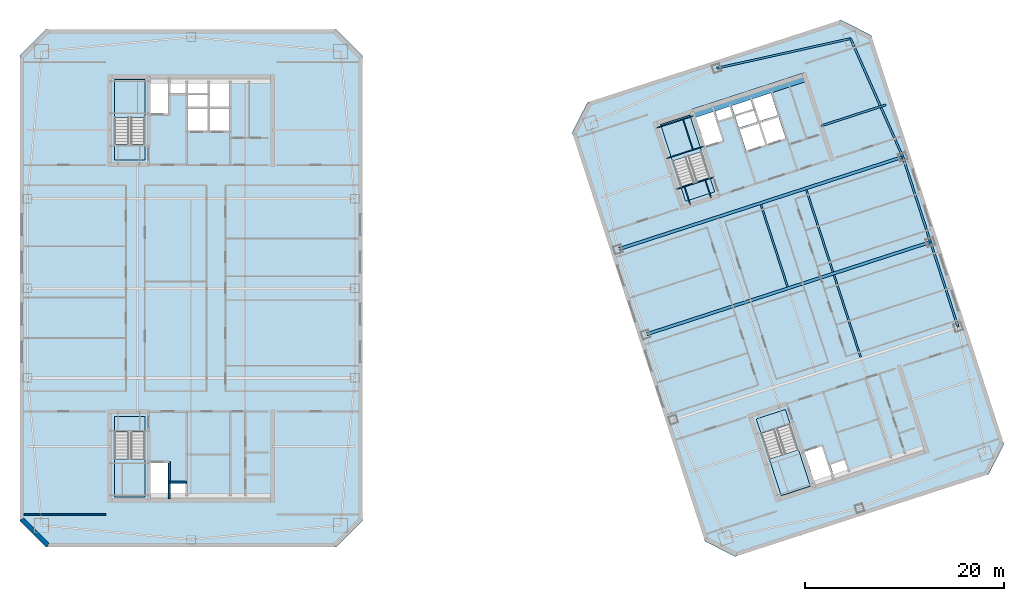
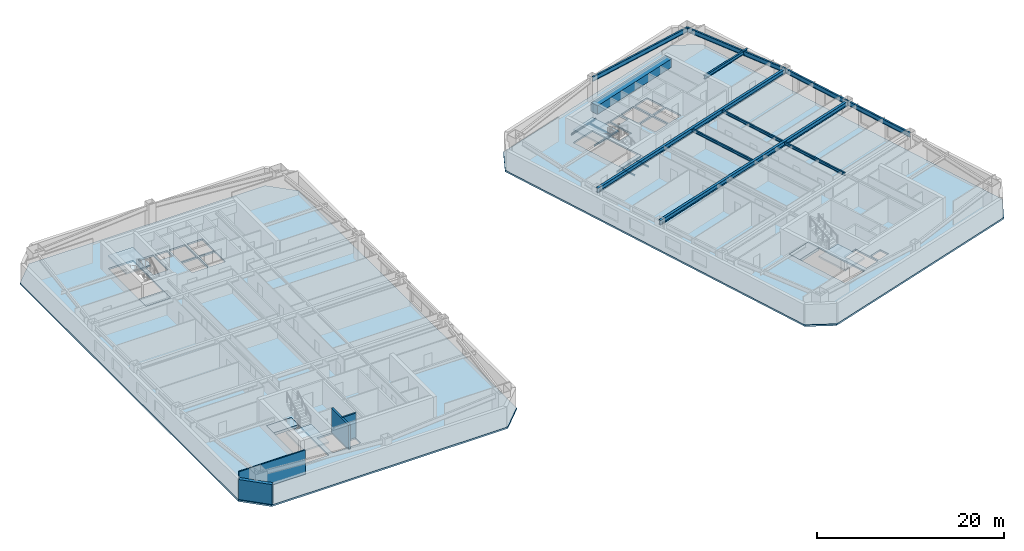
# One storey, part 4 of 13: 17 beams, 10 slabs, 4 walls, 4 elements without a shape of their own.
"""IFC4 building model written with IfcOpenShell, lengths in metres."""

from ifc_helpers import new_model, si_unit, direction, frame, frame_2d, origin, origin_2d, place, context, subcontext, project, spatial, polyline, rectangle, i_section, outline, extrude, material, layer, layer_set, material_profile, profile_set, type_object, element, aggregate, save


model = new_model("IFC4")

# Units and contexts
model_context = context("Model", 3, precision=1e-05, world=origin(), true_north=direction((0.0, 1.0)))
body_context = subcontext(model_context, "Body", "Model", "MODEL_VIEW")
ifc_project = project(units=[si_unit("LENGTHUNIT", "METRE"), si_unit("AREAUNIT", "SQUARE_METRE"), si_unit("VOLUMEUNIT", "CUBIC_METRE"), si_unit("PLANEANGLEUNIT", "RADIAN"), si_unit("MASSUNIT", "GRAM", prefix="KILO")], contexts=[model_context])

# Site, building, storey
site_placement = place(None, origin())
site = spatial("IfcSite", under=ifc_project, at=site_placement, CompositionType="ELEMENT")
building_placement = place(site_placement, origin())
building = spatial("IfcBuilding", under=site, at=building_placement, Name="Qiaolan Cultural Towers", CompositionType="ELEMENT")
storey_placement = place(building_placement, frame((0.0, 0.0, 192.050048828125)))
storey = spatial("IfcBuildingStorey", under=building, at=storey_placement, Name="L51", CompositionType="ELEMENT", Elevation=192.050048828125)

# Beams
ifc_material_1 = material(Name="Steel Q355B", Category="steel")
ifc_material_profile_1 = material_profile(ifc_material_1, i_section(OverallWidth=0.300048828125, OverallDepth=0.587890625, WebThickness=0.011962890625, FlangeThickness=0.02001953125, at=origin_2d()), Name="HM588x300x12x20")
ifc_profile_set_1 = profile_set([ifc_material_profile_1], Name="Steel Q355B")
beam_type_1 = type_object("IfcBeamType", Name="BM-HM588x300x12x20", PredefinedType="BEAM", material=ifc_profile_set_1)
beam_1_placement = place(storey_placement, frame((75.6865234375, 29.349365234375, 2.89599609375), z_axis=(0.951058384903, 0.309011243331, 0.0), x_axis=(-0.309011243331, 0.951058384903, 0.0)))
element("IfcBeam", 1, at=beam_1_placement, inside=storey, type_object=beam_type_1, Name="L51 T2 Primary Transverse Girder V2", PredefinedType="BEAM", context=body_context, shape_type="SweptSolid", body=[
    extrude(i_section(OverallWidth=0.300048828125, OverallDepth=0.587890625, WebThickness=0.011962890625, FlangeThickness=0.02001953125, at=origin_2d()), origin(), (0.0, 0.0, 1.0), 30.10009765625),
])
beam_2_placement = place(storey_placement, frame((72.905517578125, 37.90869140625, 2.89599609375), z_axis=(0.951055226628, 0.309020963535, 0.0), x_axis=(-0.309020963535, 0.951055226628, 0.0)))
element("IfcBeam", 2, at=beam_2_placement, inside=storey, type_object=beam_type_1, Name="L51 T2 Primary Transverse Girder V3", PredefinedType="BEAM", context=body_context, shape_type="SweptSolid", body=[
    extrude(i_section(OverallWidth=0.300048828125, OverallDepth=0.587890625, WebThickness=0.011962890625, FlangeThickness=0.02001953125, at=origin_2d()), origin(), (0.0, 0.0, 1.0), 30.099853515625),
])
ifc_material_2 = material(Name="Steel Q355B", Category="steel")
ifc_material_profile_2 = material_profile(ifc_material_2, i_section(OverallWidth=0.175048828125, OverallDepth=0.35009765625, WebThickness=0.007080078125, FlangeThickness=0.010986328125, at=origin_2d()), Name="HN350x175x7x11")
ifc_profile_set_2 = profile_set([ifc_material_profile_2], Name="Steel Q355B")
beam_type_2 = type_object("IfcBeamType", Name="BM-JST-HN350x175x7x11", PredefinedType="JOIST", material=ifc_profile_set_2)
for number, where, z_axis, x_axis, name in (
    (3, (89.95361328125, 34.142578125, 3.014892578125), (-0.309020714809, 0.951055307445, 0.0), (-0.951055307445, -0.309020714809, 0.0), "L51 T2 Secondary Floor Joist U2-3"),
    (4, (97.2998046875, 27.06640625, 3.014892578125), (-0.309020714809, 0.951055307445, 0.0), (-0.951055307445, -0.309020714809, 0.0), "L51 T2 Secondary Floor Joist U3-2"),
    (5, (94.518798828125, 35.6259765625, 3.014892578125), (-0.309020714809, 0.951055307445, 0.0), (-0.951055307445, -0.309020714809, 0.0), "L51 T2 Secondary Floor Joist U3-3"),
):
    element("IfcBeam", number, at=place(storey_placement, frame(where, z_axis=z_axis, x_axis=x_axis)), inside=storey, type_object=beam_type_2, Name=name, PredefinedType="JOIST", context=body_context, shape_type="SweptSolid", body=[
        extrude(i_section(OverallWidth=0.175048828125, OverallDepth=0.35009765625, WebThickness=0.007080078125, FlangeThickness=0.010986328125, at=origin_2d()), origin(), (0.0, 0.0, 1.0), 8.699951171875),
    ])
ifc_material_3 = material(Name="Steel Q355B", Category="steel")
ifc_material_profile_3 = material_profile(ifc_material_3, i_section(OverallWidth=0.199951171875, OverallDepth=0.449951171875, WebThickness=0.009033203125, FlangeThickness=0.013916015625, at=origin_2d()), Name="HN450x200x9x14")
ifc_profile_set_3 = profile_set([ifc_material_profile_3], Name="Steel Q355B")
beam_type_3 = type_object("IfcBeamType", Name="BM-LNT-HN450x200x9x14", PredefinedType="LINTEL", material=ifc_profile_set_3)
beam_3_placement = place(storey_placement, frame((93.31787109375, 50.32421875, 2.96484375), z_axis=(0.951061565824, 0.30900145309, 0.0), x_axis=(-0.30900145309, 0.951061565824, 0.0)))
element("IfcBeam", 6, at=beam_3_placement, inside=storey, type_object=beam_type_3, Name="L51 T2 Core Flank Tie Lintel EN", PredefinedType="LINTEL", context=body_context, shape_type="SweptSolid", body=[
    extrude(i_section(OverallWidth=0.199951171875, OverallDepth=0.449951171875, WebThickness=0.009033203125, FlangeThickness=0.013916015625, at=origin_2d()), origin(), (0.0, 0.0, 1.0), 6.85009765625),
])
ifc_material_4 = material(Name="Concrete C50", Category="concrete")
ifc_material_profile_4 = material_profile(ifc_material_4, rectangle(XDim=0.89990234375, YDim=1.10009765625, at=origin_2d()), Name="RC900x1100")
ifc_profile_set_4 = profile_set([ifc_material_profile_4], Name="Concrete C50")
beam_type_4 = type_object("IfcBeamType", Name="BM-RC900x1100", PredefinedType="BEAM", material=ifc_profile_set_4)
beam_4_placement = place(storey_placement, frame((80.427978515625, 51.551025390625, 2.639892578125), z_axis=(0.951056266386, 0.309017763514, 0.0), x_axis=(-0.309017763514, 0.951056266386, 0.0)))
element("IfcBeam", 7, at=beam_4_placement, inside=storey, type_object=beam_type_4, Name="L51 T2 Core Header Girder N", PredefinedType="BEAM", context=body_context, shape_type="SweptSolid", body=[
    extrude(rectangle(XDim=0.89990234375, YDim=1.10009765625, at=origin_2d()), origin(), (0.0, 0.0, 1.0), 11.880126953125),
])
ifc_material_5 = material(Name="Steel Q355B", Category="steel")
ifc_material_profile_5 = material_profile(ifc_material_5, i_section(OverallWidth=0.199951171875, OverallDepth=0.60009765625, WebThickness=0.010986328125, FlangeThickness=0.01708984375, at=origin_2d()), Name="HN600x200x11x17")
ifc_profile_set_5 = profile_set([ifc_material_profile_5], Name="Steel Q355B")
beam_type_5 = type_object("IfcBeamType", Name="BM-SPD-HN600x200x11x17", PredefinedType="SPANDREL", material=ifc_profile_set_5)
beam_5_placement = place(storey_placement, frame((107.094482421875, 30.09130859375, 2.889892578125), z_axis=(-0.309008170129, 0.951059383421, 0.0), x_axis=(-0.951059383421, -0.309008170129, 0.0)))
element("IfcBeam", 8, at=beam_5_placement, inside=storey, type_object=beam_type_5, Name="L51 T2 Perimeter Spandrel Beam 4", PredefinedType="SPANDREL", context=body_context, shape_type="SweptSolid", body=[
    extrude(i_section(OverallWidth=0.199951171875, OverallDepth=0.60009765625, WebThickness=0.010986328125, FlangeThickness=0.01708984375, at=origin_2d()), origin(), (0.0, 0.0, 1.0), 8.999755859375),
])
beam_6_placement = place(storey_placement, frame((104.3134765625, 38.650634765625, 2.889892578125), z_axis=(-0.309024734286, 0.951054001411, 0.0), x_axis=(-0.951054001411, -0.309024734286, 0.0)))
element("IfcBeam", 9, at=beam_6_placement, inside=storey, type_object=beam_type_5, Name="L51 T2 Perimeter Spandrel Beam 5", PredefinedType="SPANDREL", context=body_context, shape_type="SweptSolid", body=[
    extrude(i_section(OverallWidth=0.199951171875, OverallDepth=0.60009765625, WebThickness=0.010986328125, FlangeThickness=0.01708984375, at=origin_2d()), origin(), (0.0, 0.0, 1.0), 9.0),
])
beam_7_placement = place(storey_placement, frame((101.5322265625, 47.210205078125, 2.889892578125), z_axis=(-0.404011070002, 0.914754095545, 0.0), x_axis=(-0.914754095545, -0.404011070002, 0.0)))
element("IfcBeam", 10, at=beam_7_placement, inside=storey, type_object=beam_type_5, Name="L51 T2 Perimeter Spandrel Beam 6", PredefinedType="SPANDREL", context=body_context, shape_type="SweptSolid", body=[
    extrude(i_section(OverallWidth=0.199951171875, OverallDepth=0.60009765625, WebThickness=0.010986328125, FlangeThickness=0.01708984375, at=origin_2d()), origin(), (0.0, 0.0, 1.0), 12.9970703125),
])
beam_8_placement = place(storey_placement, frame((96.28125, 59.099365234375, 2.889892578125), z_axis=(-0.976265293399, -0.216578108094, 0.0), x_axis=(0.216578108094, -0.976265293399, 0.0)))
element("IfcBeam", 11, at=beam_8_placement, inside=storey, type_object=beam_type_5, Name="L51 T2 Perimeter Spandrel Beam 7", PredefinedType="SPANDREL", context=body_context, shape_type="SweptSolid", body=[
    extrude(i_section(OverallWidth=0.199951171875, OverallDepth=0.60009765625, WebThickness=0.010986328125, FlangeThickness=0.01708984375, at=origin_2d()), origin(), (0.0, 0.0, 1.0), 13.793212890625),
])
ifc_material_6 = material(Name="Steel Q355B", Category="steel")
ifc_material_profile_6 = material_profile(ifc_material_6, i_section(OverallWidth=0.10009765625, OverallDepth=0.199951171875, WebThickness=0.005615234375, FlangeThickness=0.008056640625, at=origin_2d()), Name="HN200x100x5.5x8")
ifc_profile_set_6 = profile_set([ifc_material_profile_6], Name="Steel Q355B")
beam_type_6 = type_object("IfcBeamType", Name="BM-STTRIM-200", PredefinedType="BEAM", material=ifc_profile_set_6)
beam_9_placement = place(storey_placement, frame((78.773193359375, 43.958251953125, -0.4599609375), z_axis=(0.951072048947, 0.3089691857, 0.0), x_axis=(-0.3089691857, 0.951072048947, 0.0)))
element("IfcBeam", 12, at=beam_9_placement, inside=storey, type_object=beam_type_6, Name="L51 ST-E2 Floor Landing Header Beam", PredefinedType="BEAM", context=body_context, shape_type="SweptSolid", body=[
    extrude(i_section(OverallWidth=0.10009765625, OverallDepth=0.199951171875, WebThickness=0.005615234375, FlangeThickness=0.008056640625, at=origin_2d()), origin(), (0.0, 0.0, 1.0), 3.920166015625),
])
for number, where, z_axis, x_axis, name in (
    (13, (80.18115234375, 42.375732421875, -0.4599609375), (-0.308969394428, 0.951071981138, 0.0), (-0.951071981138, -0.308969394428, 0.0), "L51 ST-E2 Floor Landing Stringer 1"),
    (14, (82.2734375, 43.0556640625, -0.4599609375), (-0.308969394428, 0.951071981138, 0.0), (-0.951071981138, -0.308969394428, 0.0), "L51 ST-E2 Floor Landing Stringer 2"),
):
    element("IfcBeam", number, at=place(storey_placement, frame(where, z_axis=z_axis, x_axis=x_axis)), inside=storey, type_object=beam_type_6, Name=name, PredefinedType="BEAM", context=body_context, shape_type="SweptSolid", body=[
        extrude(i_section(OverallWidth=0.10009765625, OverallDepth=0.199951171875, WebThickness=0.005615234375, FlangeThickness=0.008056640625, at=origin_2d()), origin(), (0.0, 0.0, 1.0), 1.93994140625),
    ])
for number, where, z_axis, x_axis, name in (
    (15, (77.769287109375, 47.0478515625, 1.425048828125), (0.951053746643, 0.309025518358, 0.0), (-0.309025518358, 0.951053746643, 0.0), "L51 ST-E2 Stair Landing Support Beam 1-1"),
    (16, (76.770751953125, 50.12109375, 1.425048828125), (0.951072048947, 0.3089691857, 0.0), (-0.3089691857, 0.951072048947, 0.0), "L51 ST-E2 Stair Landing Support Beam 1-2"),
):
    element("IfcBeam", number, at=place(storey_placement, frame(where, z_axis=z_axis, x_axis=x_axis)), inside=storey, type_object=beam_type_6, Name=name, PredefinedType="BEAM", context=body_context, shape_type="SweptSolid", body=[
        extrude(i_section(OverallWidth=0.10009765625, OverallDepth=0.199951171875, WebThickness=0.005615234375, FlangeThickness=0.008056640625, at=origin_2d()), origin(), (0.0, 0.0, 1.0), 3.920166015625),
    ])
beam_10_placement = place(storey_placement, frame((80.44189453125, 47.916259765625, 1.425048828125), z_axis=(-0.309033108495, 0.951051280349, 0.0), x_axis=(-0.951051280349, -0.309033108495, 0.0)))
element("IfcBeam", 17, at=beam_10_placement, inside=storey, type_object=beam_type_6, Name="L51 ST-E2 Stair Landing Trimmer 1", PredefinedType="BEAM", context=body_context, shape_type="SweptSolid", body=[
    extrude(i_section(OverallWidth=0.10009765625, OverallDepth=0.199951171875, WebThickness=0.005615234375, FlangeThickness=0.008056640625, at=origin_2d()), origin(), (0.0, 0.0, 1.0), 3.231201171875),
])

# Stair, slab
ifc_material_7 = material(Name="Concrete C45", Category="concrete")
stair_type = type_object("IfcStairType", Name="STR-CORE-1500", PredefinedType="HALF_TURN_STAIR", material=ifc_material_7)
stair_1_placement = place(storey_placement, origin())
stair_1 = element("IfcStair", 18, at=stair_1_placement, inside=storey, type_object=stair_type, Name="L51 Smokeproof Exit Stair ST-W1", PredefinedType="HALF_TURN_STAIR")
ifc_material_8 = material(Name="Concrete C45", Category="concrete")
ifc_layer_1 = layer(ifc_material_8, 0.199951171875)
ifc_layer_set_1 = layer_set([ifc_layer_1], Name="Concrete C45")
slab_type_1 = type_object("IfcSlabType", Name="SL-STAIR-LAND", PredefinedType="LANDING", material=ifc_layer_set_1)
slab_1_placement = place(storey_placement, frame((0.0, 0.0, 1.52490234375)))
slab_1 = element("IfcSlab", 19, at=slab_1_placement, type_object=slab_type_1, Name="ST-W1 landing 1", PredefinedType="LANDING", context=body_context, shape_type="SweptSolid", body=[
    extrude(outline(polyline([(22.300048828125, 16.851318359375), (22.300048828125, 13.0), (25.3798828125, 13.0), (25.3798828125, 16.851318359375), (22.300048828125, 16.851318359375)])), origin(), (0.0, 0.0, 1.0), 0.199951171875),
])
aggregate(stair_1, [slab_1])

stair_2_placement = place(storey_placement, origin())
stair_2 = element("IfcStair", 20, at=stair_2_placement, inside=storey, type_object=stair_type, Name="L51 Smokeproof Exit Stair ST-W2", PredefinedType="HALF_TURN_STAIR")
slab_2_placement = place(storey_placement, frame((0.0, 0.0, 1.52490234375)))
slab_2 = element("IfcSlab", 21, at=slab_2_placement, type_object=slab_type_1, Name="ST-W2 landing 1", PredefinedType="LANDING", context=body_context, shape_type="SweptSolid", body=[
    extrude(outline(polyline([(25.3798828125, 51.148681640625), (25.3798828125, 55.0), (22.300048828125, 55.0), (22.300048828125, 51.148681640625), (25.3798828125, 51.148681640625)])), origin(), (0.0, 0.0, 1.0), 0.199951171875),
])
aggregate(stair_2, [slab_2])

stair_3_placement = place(storey_placement, origin())
stair_3 = element("IfcStair", 22, at=stair_3_placement, inside=storey, type_object=stair_type, Name="L51 Smokeproof Exit Stair ST-E1", PredefinedType="HALF_TURN_STAIR")
slab_3_placement = place(storey_placement, frame((0.0, 0.0, 1.52490234375)))
slab_3 = element("IfcSlab", 23, at=slab_3_placement, type_object=slab_type_1, Name="ST-E1 landing 1", PredefinedType="LANDING", context=body_context, shape_type="SweptSolid", body=[
    extrude(outline(polyline([(88.114013671875, 16.828125), (89.30419921875, 13.165283203125), (92.2333984375, 14.116943359375), (91.04345703125, 17.77978515625), (88.114013671875, 16.828125)])), origin(), (0.0, 0.0, 1.0), 0.199951171875),
])
aggregate(stair_3, [slab_3])

stair_4_placement = place(storey_placement, origin())
stair_4 = element("IfcStair", 24, at=stair_4_placement, inside=storey, type_object=stair_type, Name="L51 Smokeproof Exit Stair ST-E2", PredefinedType="HALF_TURN_STAIR")
slab_4_placement = place(storey_placement, frame((0.0, 0.0, 1.52490234375)))
slab_4 = element("IfcSlab", 25, at=slab_4_placement, type_object=slab_type_1, Name="ST-E2 landing 1", PredefinedType="LANDING", context=body_context, shape_type="SweptSolid", body=[
    extrude(outline(polyline([(81.31005859375, 47.735595703125), (80.1201171875, 51.3984375), (77.190673828125, 50.44677734375), (78.380859375, 46.783935546875), (81.31005859375, 47.735595703125)])), origin(), (0.0, 0.0, 1.0), 0.199951171875),
])
aggregate(stair_4, [slab_4])

# Slabs
ifc_material_9 = material(Name="Concrete C40", Category="concrete")
ifc_layer_2 = layer(ifc_material_9, 0.360107421875)
ifc_layer_set_2 = layer_set([ifc_layer_2], Name="Concrete C40")
slab_type_2 = type_object("IfcSlabType", Name="SL-STFLR-360", PredefinedType="LANDING", material=ifc_layer_set_2)
slab_5_placement = place(storey_placement, frame((0.0, 0.0, -0.360107421875)))
element("IfcSlab", 26, at=slab_5_placement, inside=storey, type_object=slab_type_2, Name="L51 ST-W1 Stair Floor Landing Slab", PredefinedType="LANDING", context=body_context, shape_type="SweptSolid", body=[
    extrude(outline(polyline([(22.302001953125, 21.097900390625), (22.302001953125, 19.548583984375), (25.3779296875, 19.548583984375), (25.3779296875, 21.097900390625), (22.302001953125, 21.097900390625)])), origin(), (0.0, 0.0, 1.0), 0.360107421875),
])
slab_6_placement = place(storey_placement, frame((0.0, 0.0, -0.360107421875)))
element("IfcSlab", 27, at=slab_6_placement, inside=storey, type_object=slab_type_2, Name="L51 ST-W2 Stair Floor Landing Slab", PredefinedType="LANDING", context=body_context, shape_type="SweptSolid", body=[
    extrude(outline(polyline([(25.3779296875, 46.902099609375), (25.3779296875, 48.451416015625), (22.302001953125, 48.451416015625), (22.302001953125, 46.902099609375), (25.3779296875, 46.902099609375)])), origin(), (0.0, 0.0, 1.0), 0.360107421875),
])
slab_7_placement = place(storey_placement, frame((0.0, 0.0, -0.360107421875)))
element("IfcSlab", 28, at=slab_7_placement, inside=storey, type_object=slab_type_2, Name="L51 ST-E1 Stair Floor Landing Slab", PredefinedType="LANDING", context=body_context, shape_type="SweptSolid", body=[
    extrude(outline(polyline([(86.8037109375, 20.867431640625), (87.282470703125, 19.39404296875), (90.2080078125, 20.3447265625), (89.729248046875, 21.818115234375), (86.8037109375, 20.867431640625)])), origin(), (0.0, 0.0, 1.0), 0.360107421875),
])
slab_8_placement = place(storey_placement, frame((0.0, 0.0, -0.360107421875)))
element("IfcSlab", 29, at=slab_8_placement, inside=storey, type_object=slab_type_2, Name="L51 ST-E2 Stair Floor Landing Slab", PredefinedType="LANDING", context=body_context, shape_type="SweptSolid", body=[
    extrude(outline(polyline([(82.62060546875, 43.6962890625), (82.141845703125, 45.169677734375), (79.21630859375, 44.21923828125), (79.695068359375, 42.74560546875), (82.62060546875, 43.6962890625)])), origin(), (0.0, 0.0, 1.0), 0.360107421875),
])
ifc_material_10 = material(Name="Concrete C45", Category="concrete")
ifc_layer_3 = layer(ifc_material_10, 0.219970703125)
ifc_layer_set_3 = layer_set([ifc_layer_3], Name="Concrete C45")
slab_type_3 = type_object("IfcSlabType", Name="SL-TYP-220", PredefinedType="FLOOR", material=ifc_layer_set_3)
slab_9_placement = place(storey_placement, frame((0.0, 0.0, -0.219970703125)))
element("IfcSlab", 30, at=slab_9_placement, inside=storey, type_object=slab_type_3, Name="L51 West Tower Floor Slab", PredefinedType="FLOOR", context=body_context, shape_type="SweptSolid", body=[
    extrude(outline(polyline([(15.39990234375, 8.0), (44.60009765625, 8.0), (47.199951171875, 10.60009765625), (47.199951171875, 57.39990234375), (44.60009765625, 60.0), (15.39990234375, 60.0), (12.800048828125, 57.39990234375), (12.800048828125, 10.60009765625), (15.39990234375, 8.0)]), holes=[polyline([(22.300048828125, 21.10009765625), (22.300048828125, 13.0), (25.3798828125, 13.0), (25.3798828125, 21.10009765625), (22.300048828125, 21.10009765625)]), polyline([(25.3798828125, 46.89990234375), (25.3798828125, 55.0), (22.300048828125, 55.0), (22.300048828125, 46.89990234375), (25.3798828125, 46.89990234375)]), polyline([(25.89990234375, 13.199951171875), (27.75, 13.199951171875), (27.75, 16.449951171875), (25.89990234375, 16.449951171875), (25.89990234375, 13.199951171875)]), polyline([(27.93994140625, 13.25), (29.449951171875, 13.25), (29.449951171875, 14.419921875), (27.93994140625, 14.419921875), (27.93994140625, 13.25)]), polyline([(25.89990234375, 51.550048828125), (27.75, 51.550048828125), (27.75, 54.800048828125), (25.89990234375, 54.800048828125), (25.89990234375, 51.550048828125)]), polyline([(27.93994140625, 53.580078125), (29.449951171875, 53.580078125), (29.449951171875, 54.75), (27.93994140625, 54.75), (27.93994140625, 53.580078125)]), polyline([(29.679931640625, 49.820068359375), (31.679931640625, 49.820068359375), (31.679931640625, 52.080078125), (29.679931640625, 52.080078125), (29.679931640625, 49.820068359375)]), polyline([(31.8798828125, 49.820068359375), (33.820068359375, 49.820068359375), (33.820068359375, 52.080078125), (31.8798828125, 52.080078125), (31.8798828125, 49.820068359375)]), polyline([(29.679931640625, 52.27001953125), (31.659912109375, 52.27001953125), (31.659912109375, 54.75), (29.679931640625, 54.75), (29.679931640625, 52.27001953125)]), polyline([(31.8798828125, 52.27001953125), (33.820068359375, 52.27001953125), (33.820068359375, 54.75), (31.8798828125, 54.75), (31.8798828125, 52.27001953125)])]), origin(), (0.0, 0.0, 1.0), 0.219970703125),
])
slab_10_placement = place(storey_placement, frame((0.0, 0.0, -0.219970703125)))
element("IfcSlab", 31, at=slab_10_placement, inside=storey, type_object=slab_type_3, Name="L51 East Tower Floor Slab", PredefinedType="FLOOR", context=body_context, shape_type="SweptSolid", body=[
    extrude(outline(polyline([(84.67236328125, 7.033935546875), (110.16064453125, 15.3154296875), (111.701416015625, 18.339599609375), (98.351806640625, 59.42529296875), (95.32763671875, 60.966064453125), (69.83935546875, 52.6845703125), (68.298583984375, 49.660400390625), (81.648193359375, 8.57470703125), (84.67236328125, 7.033935546875)]), holes=[polyline([(86.80126953125, 20.868896484375), (89.30419921875, 13.165283203125), (92.2333984375, 14.116943359375), (89.73046875, 21.820556640625), (86.80126953125, 20.868896484375)]), polyline([(82.623046875, 43.69482421875), (80.1201171875, 51.3984375), (77.190673828125, 50.44677734375), (79.69384765625, 42.7431640625), (82.623046875, 43.69482421875)]), polyline([(92.666259765625, 14.468017578125), (94.42578125, 15.03955078125), (93.42138671875, 18.130615234375), (91.661865234375, 17.558837890625), (92.666259765625, 14.468017578125)]), polyline([(94.5908203125, 15.14599609375), (96.027099609375, 15.612548828125), (95.66552734375, 16.725341796875), (94.2294921875, 16.258544921875), (94.5908203125, 15.14599609375)]), polyline([(81.6806640625, 48.278076171875), (83.440185546875, 48.849609375), (82.435791015625, 51.940673828125), (80.67626953125, 51.368896484375), (81.6806640625, 48.278076171875)]), polyline([(82.993408203125, 50.839111328125), (84.4296875, 51.3056640625), (84.068115234375, 52.41845703125), (82.632080078125, 51.95166015625), (82.993408203125, 50.839111328125)]), polyline([(85.810302734375, 47.80078125), (87.71240234375, 48.418701171875), (87.013916015625, 50.568115234375), (85.11181640625, 49.9501953125), (85.810302734375, 47.80078125)]), polyline([(87.902587890625, 48.480712890625), (89.74755859375, 49.080078125), (89.04931640625, 51.2294921875), (87.2041015625, 50.6298828125), (87.902587890625, 48.480712890625)]), polyline([(85.05322265625, 50.130859375), (86.936279296875, 50.74267578125), (86.169921875, 53.101318359375), (84.286865234375, 52.489501953125), (85.05322265625, 50.130859375)]), polyline([(87.1455078125, 50.810791015625), (88.990478515625, 51.41015625), (88.22412109375, 53.768798828125), (86.379150390625, 53.169189453125), (87.1455078125, 50.810791015625)])]), origin(), (0.0, 0.0, 1.0), 0.219970703125),
])

# Walls
ifc_material_11 = material(Name="Precast Concrete C50 Honed Stone Pier", Category="masonry")
ifc_layer_4 = layer(ifc_material_11, 0.39990234375)
ifc_layer_set_4 = layer_set([ifc_layer_4], Name="Precast Concrete C50 Honed Stone Pier")
wall_type_1 = type_object("IfcWallType", Name="WL-EXT-PIER-400", PredefinedType="SOLIDWALL", material=ifc_layer_set_4)
wall_1_placement = place(storey_placement, frame((15.60009765625, 8.199951171875, 0.0), z_axis=(0.0, 0.0, 1.0), x_axis=(-0.707106781187, 0.707106781187, 0.0)))
element("IfcWall", 32, at=wall_1_placement, inside=storey, type_object=wall_type_1, Name="L51 West Tower Precast Pier Facade Wall F8", PredefinedType="SOLIDWALL", context=body_context, shape_type="SweptSolid", body=[
    extrude(rectangle(XDim=3.677001953125, YDim=0.39990234375, at=frame_2d((1.83837890625, 0.0))), origin(), (0.0, 0.0, 1.0), 2.60986328125),
])
ifc_material_12 = material(Name="Concrete C35 Fire Wall", Category="concrete")
ifc_layer_5 = layer(ifc_material_12, 0.199951171875)
ifc_layer_set_5 = layer_set([ifc_layer_5], Name="Concrete C35 Fire Wall")
wall_type_2 = type_object("IfcWallType", Name="WL-FIRE-200", PredefinedType="PARTITIONING", material=ifc_layer_set_5)
wall_2_placement = place(storey_placement, frame((27.820068359375, 16.550048828125, 0.0), z_axis=(0.0, 0.0, 1.0), x_axis=(0.0, -1.0, 0.0)))
element("IfcWall", 33, at=wall_2_placement, inside=storey, type_object=wall_type_2, Name="L51 T1-CS Firefighting Hoistway East Wall", PredefinedType="PARTITIONING", context=body_context, shape_type="SweptSolid", body=[
    extrude(rectangle(XDim=3.699951171875, YDim=0.199951171875, at=frame_2d((1.85009765625, 0.0))), origin(), (0.0, 0.0, 1.0), 3.175048828125),
])
wall_3_placement = place(storey_placement, frame((27.820068359375, 14.52001953125, 0.0), z_axis=(0.0, 0.0, 1.0), x_axis=(1.0, 0.0, 0.0)))
element("IfcWall", 34, at=wall_3_placement, inside=storey, type_object=wall_type_2, Name="L51 T1-CS Pressurization Shaft Front Wall", PredefinedType="PARTITIONING", context=body_context, shape_type="SweptSolid", body=[
    extrude(rectangle(XDim=1.72998046875, YDim=0.199951171875, at=frame_2d((0.864990234375, 0.0))), origin(), (0.0, 0.0, 1.0), 3.175048828125),
])
ifc_material_13 = material(Name="Autoclaved Aerated Concrete Block B06", Category="concrete")
ifc_layer_6 = layer(ifc_material_13, 0.14990234375)
ifc_layer_set_6 = layer_set([ifc_layer_6], Name="Autoclaved Aerated Concrete Block B06")
wall_type_3 = type_object("IfcWallType", Name="WL-PART-150", PredefinedType="PARTITIONING", material=ifc_layer_set_6)
wall_4_placement = place(storey_placement, frame((13.199951171875, 11.25, 0.0), z_axis=(0.0, 0.0, 1.0), x_axis=(1.0, 0.0, 0.0)))
element("IfcWall", 35, at=wall_4_placement, inside=storey, type_object=wall_type_3, Name="L51 T1 Flank Wall FLK-SW", PredefinedType="PARTITIONING", context=body_context, shape_type="SweptSolid", body=[
    extrude(rectangle(XDim=8.199951171875, YDim=0.14990234375, at=frame_2d((4.10009765625, 0.0))), origin(), (0.0, 0.0, 1.0), 3.175048828125),
])

save(model, "model.ifc")
